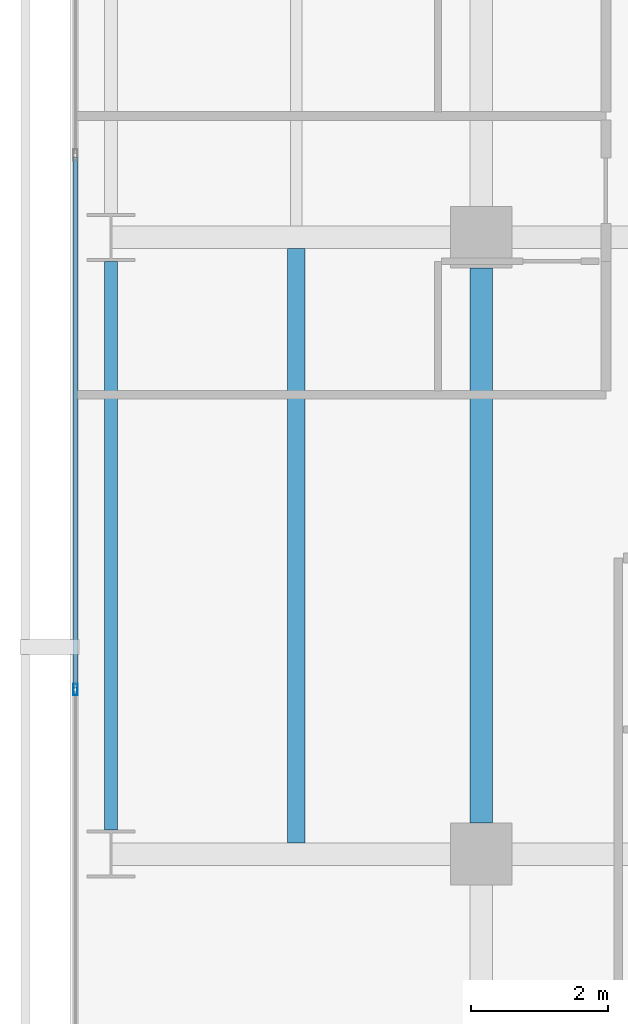
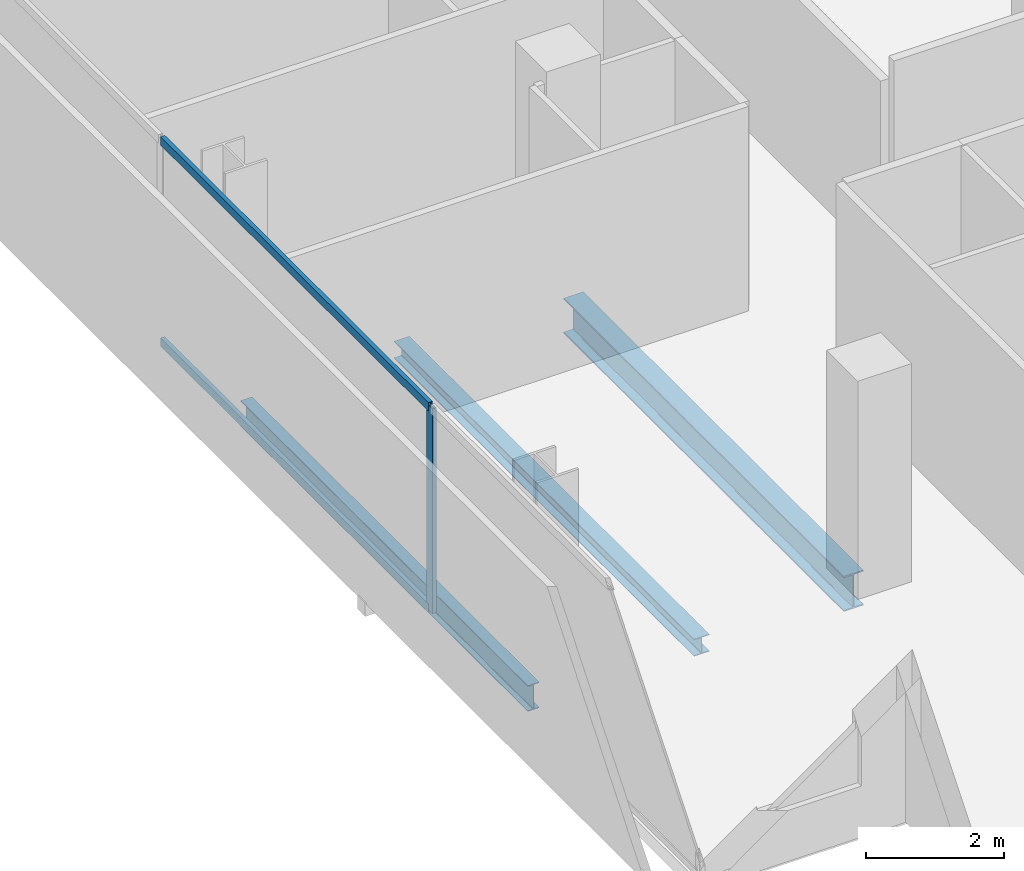
# One storey, part 5 of 40: 3 beams, 3 members, 1 element without a shape of its own.
"""IFC4 building model written with IfcOpenShell, lengths in metres."""

import ifcopenshell
import ifcopenshell.guid

model = None  # the IFC model being written
_history = None  # IfcOwnerHistory: only IFC2X3 demands one
_inside = {}  # id of a spatial element -> (the spatial element, [elements in it])
_under = {}  # id of a project, library or spatial element -> (it, [spatial elements below it])
_declared = {}  # id of a project -> (the project, [libraries it declares])
_typed = {}  # id of a type object -> (the type object, [elements of that type])
_made_of = {}  # id of a material, layer set ... -> (it, [elements and type objects made of it])


def new_model(schema):
    """Start an empty IFC model of exactly this schema.

    Asked for "IFC4X3", IfcOpenShell would pick the latest addendum, in which some entities
    have other attributes; the version numbers below select the first issue.
    IFC2X3 requires an IfcOwnerHistory on every rooted entity: one is made here for all.
    """
    global model, _history
    if schema == "IFC4X3":
        model = ifcopenshell.file(schema_version=(4, 3, 0, 0))
    else:
        model = ifcopenshell.file(schema=schema)
    _inside.clear()
    _under.clear()
    _declared.clear()
    _typed.clear()
    _made_of.clear()
    _history = None
    if model.schema == "IFC2X3":
        org = make("IfcOrganization", Name="unknown")
        user = make(
            "IfcPersonAndOrganization",
            ThePerson=make("IfcPerson", FamilyName="unknown"),
            TheOrganization=org,
        )
        app = make(
            "IfcApplication",
            ApplicationDeveloper=org,
            Version="unknown",
            ApplicationFullName="unknown",
            ApplicationIdentifier="unknown",
        )
        _history = make(
            "IfcOwnerHistory",
            OwningUser=user,
            OwningApplication=app,
            ChangeAction="ADDED",
            CreationDate=0,
        )
    return model


def make(cls, **values):
    """One entity of the class cls with the attributes given. An attribute that is None is left unset."""
    return model.create_entity(
        cls, **{name: value for name, value in values.items() if value is not None}
    )


def rooted(cls, **values):
    """An entity with a GlobalId (a new one), such as an element, a storey or a relation."""
    return make(cls, GlobalId=ifcopenshell.guid.new(), OwnerHistory=_history, **values)


def si_unit(unit_type, name, prefix=None):
    """IfcSIUnit, for example si_unit("LENGTHUNIT", "METRE", prefix="MILLI")."""
    return make("IfcSIUnit", UnitType=unit_type, Prefix=prefix, Name=name)


def assignment(units):
    """IfcUnitAssignment: the units of a project."""
    return None if units is None else make("IfcUnitAssignment", Units=units)


def point(xyz):
    """IfcCartesianPoint."""
    return None if xyz is None else make("IfcCartesianPoint", Coordinates=xyz)


def direction(xyz):
    """IfcDirection."""
    return None if xyz is None else make("IfcDirection", DirectionRatios=xyz)


def frame(location, z_axis=None, x_axis=None):
    """IfcAxis2Placement3D, a coordinate frame: its origin and axes. An axis left out is left unset."""
    return make(
        "IfcAxis2Placement3D",
        Location=point(location),
        Axis=direction(z_axis),
        RefDirection=direction(x_axis),
    )


def frame_2d(location, x_axis=None):
    """IfcAxis2Placement2D, a coordinate frame in the plane: its origin and x axis."""
    return make(
        "IfcAxis2Placement2D", Location=point(location), RefDirection=direction(x_axis)
    )


def origin():
    """The frame at (0, 0, 0) with its axes left unset."""
    return frame((0.0, 0.0, 0.0))


def origin_2d():
    """The frame at (0, 0) in the plane with its x axis left unset."""
    return frame_2d((0.0, 0.0))


def place(relative_to, where):
    """IfcLocalPlacement: puts the frame where relative to a parent placement (None: the world)."""
    return make(
        "IfcLocalPlacement", PlacementRelTo=relative_to, RelativePlacement=where
    )


def context(
    kind, dimensions, precision=None, world=None, true_north=None, identifier=None
):
    """IfcGeometricRepresentationContext, for example the 3D "Model" context."""
    return make(
        "IfcGeometricRepresentationContext",
        ContextIdentifier=identifier,
        ContextType=kind,
        CoordinateSpaceDimension=dimensions,
        Precision=precision,
        WorldCoordinateSystem=world,
        TrueNorth=true_north,
    )


def subcontext(parent, identifier, kind, view, scale=None):
    """IfcGeometricRepresentationSubContext, for example "Body" below "Model"."""
    return make(
        "IfcGeometricRepresentationSubContext",
        ContextIdentifier=identifier,
        ContextType=kind,
        ParentContext=parent,
        TargetScale=scale,
        TargetView=view,
    )


def project(units=None, contexts=None):
    """IfcProject with its units and contexts."""
    return rooted(
        "IfcProject",
        Name="project",
        RepresentationContexts=contexts,
        UnitsInContext=assignment(units),
    )


def spatial(cls, under=None, at=None, **own):
    """A site, building, storey or space (cls), placed at a placement, below another one or the project."""
    s = rooted(cls, ObjectPlacement=at, **own)
    if under is not None:
        _under.setdefault(under.id(), (under, []))[1].append(s)
    return s


def profile(cls, at=None, kind="AREA", **sizes):
    """A parametric profile (cls). Its sizes go by their IFC names, for example OverallWidth=200.0."""
    return make(cls, ProfileType=kind, Position=at, **sizes)


def hollow_rectangle(**sizes):
    """IfcRectangleHollowProfileDef."""
    return profile("IfcRectangleHollowProfileDef", **sizes)


def i_section(**sizes):
    """IfcIShapeProfileDef."""
    return profile("IfcIShapeProfileDef", **sizes)


def extrude(swept, where, along, depth):
    """IfcExtrudedAreaSolid: the profile swept, set in the frame where, extruded along a direction by depth."""
    return make(
        "IfcExtrudedAreaSolid",
        SweptArea=swept,
        Position=where,
        ExtrudedDirection=direction(along),
        Depth=depth,
    )


def shape(context_of_items, identifier, shape_type, items):
    """IfcShapeRepresentation: the items that make up one representation, for example the "Body"."""
    return make(
        "IfcShapeRepresentation",
        ContextOfItems=context_of_items,
        RepresentationIdentifier=identifier,
        RepresentationType=shape_type,
        Items=items,
    )


def material(Name=None, Category=None):
    """IfcMaterial."""
    return make("IfcMaterial", Name=Name, Category=Category)


def layer(
    of_material, thickness, ventilated=None, Name=None, Category=None, Priority=None
):
    """IfcMaterialLayer: one layer of a wall or slab, of a material (None: an air gap)."""
    return make(
        "IfcMaterialLayer",
        Material=of_material,
        LayerThickness=thickness,
        IsVentilated=ventilated,
        Name=Name,
        Category=Category,
        Priority=Priority,
    )


def layer_set(layers, Name=None):
    """IfcMaterialLayerSet."""
    return make("IfcMaterialLayerSet", MaterialLayers=layers, LayerSetName=Name)


def material_profile(
    of_material, cross_section, Name=None, Category=None, Priority=None
):
    """IfcMaterialProfile: a cross section and its material."""
    return make(
        "IfcMaterialProfile",
        Name=Name,
        Material=of_material,
        Profile=cross_section,
        Priority=Priority,
        Category=Category,
    )


def profile_set(profiles, Name=None, composite=None):
    """IfcMaterialProfileSet."""
    return make(
        "IfcMaterialProfileSet",
        Name=Name,
        MaterialProfiles=profiles,
        CompositeProfile=composite,
    )


def made_of(thing, what):
    """Note that an element or type object is made of a material, layer set ...; save() writes the relation."""
    if what is not None:
        _made_of.setdefault(what.id(), (what, []))[1].append(thing)
    return thing


def type_object(cls, material=None, **own):
    """A type object (cls), such as IfcWallType, which elements share."""
    return made_of(rooted(cls, **own), material)


def element(
    cls,
    number,
    at=None,
    inside=None,
    cuts=None,
    type_object=None,
    material=None,
    context=None,
    identifier="Body",
    shape_type=None,
    held_by="IfcProductDefinitionShape",
    body=None,
    shapes=None,
    **own,
):
    """One element of the class cls, such as IfcWall. Its Tag is "e" and its number.

    at: its placement. inside: the storey or other place that contains it. cuts: it is an
    opening in that element (IfcRelVoidsElement). A single representation is given by context,
    identifier, shape_type and body (its items); several are given by shapes. held_by: the class
    of the entity that holds the representations. save() writes the other relations.
    """
    e = rooted(cls, Tag="e%d" % number, ObjectPlacement=at, **own)
    if body is not None:
        shapes = [shape(context, identifier, shape_type, body)]
    if shapes is not None:
        e.Representation = make(held_by, Representations=shapes)
    if inside is not None:
        _inside.setdefault(inside.id(), (inside, []))[1].append(e)
    if cuts is not None:
        rooted(
            "IfcRelVoidsElement", RelatingBuildingElement=cuts, RelatedOpeningElement=e
        )
    if type_object is not None:
        _typed.setdefault(type_object.id(), (type_object, []))[1].append(e)
    return made_of(e, material)


def aggregate(whole, parts):
    """IfcRelAggregates: a whole, such as a stair, and the parts it consists of."""
    return rooted("IfcRelAggregates", RelatingObject=whole, RelatedObjects=parts)


def save(model, path):
    """Write the relations noted so far, then the file.

    IfcRelAggregates (storeys below a building ...), IfcRelContainedInSpatialStructure (elements
    in a storey), IfcRelDefinesByType, IfcRelAssociatesMaterial and IfcRelDeclares: one each for
    every whole, place, type object, material and project.
    """
    for whole, parts in _under.values():
        aggregate(whole, parts)
    for where, things in _inside.values():
        rooted(
            "IfcRelContainedInSpatialStructure",
            RelatedElements=things,
            RelatingStructure=where,
        )
    for kind, things in _typed.values():
        rooted("IfcRelDefinesByType", RelatedObjects=things, RelatingType=kind)
    for what, things in _made_of.values():
        rooted("IfcRelAssociatesMaterial", RelatedObjects=things, RelatingMaterial=what)
    for by, libraries in _declared.values():
        rooted("IfcRelDeclares", RelatingContext=by, RelatedDefinitions=libraries)
    model.write(path)


model = new_model("IFC4")

# Units and contexts
model_context = context("Model", 3, precision=1e-05, world=origin(), true_north=direction((0.0, 1.0)))
body_context = subcontext(model_context, "Body", "Model", "MODEL_VIEW")
ifc_project = project(units=[si_unit("LENGTHUNIT", "METRE"), si_unit("AREAUNIT", "SQUARE_METRE"), si_unit("VOLUMEUNIT", "CUBIC_METRE"), si_unit("PLANEANGLEUNIT", "RADIAN"), si_unit("MASSUNIT", "GRAM", prefix="KILO")], contexts=[model_context])

# Site, building, storey
site_placement = place(None, origin())
site = spatial("IfcSite", under=ifc_project, at=site_placement, CompositionType="ELEMENT")
building_placement = place(site_placement, origin())
building = spatial("IfcBuilding", under=site, at=building_placement, Name="Maruvema Waterfront Hotel and Observation Tower", CompositionType="ELEMENT")
storey_placement = place(building_placement, frame((0.0, 0.0, 53.89990234375)))
storey = spatial("IfcBuildingStorey", under=building, at=storey_placement, Name="L12", CompositionType="ELEMENT", Elevation=53.89990234375)

# Curtain wall, members
ifc_material_1 = material(Name="Anodised bronze aluminium and solar-control low-E IGU", Category="aluminium")
ifc_layer = layer(ifc_material_1, 0.159912109375, Name="Zone 1 Bronze Inner Thermal Curtain Wall System CW-02")
ifc_layer_set = layer_set([ifc_layer], Name="Anodised bronze aluminium and solar-control low-E IGU")
curtain_wall_type = type_object("IfcCurtainWallType", Name="Zone 1 Bronze Inner Thermal Curtain Wall System CW-02", PredefinedType="USERDEFINED", material=ifc_layer_set)
curtain_wall_placement = place(storey_placement, origin())
curtain_wall = element("IfcCurtainWall", 1, at=curtain_wall_placement, inside=storey, type_object=curtain_wall_type, Name="L12 Curtain Wall CW-L12-W", ObjectType="UNITISED CURTAIN WALL", PredefinedType="USERDEFINED")
ifc_material_2 = material(Name="Anodised architectural bronze aluminium", Category="aluminium")
ifc_material_profile_1 = material_profile(ifc_material_2, hollow_rectangle(XDim=0.070068359375, YDim=0.14990234375, WallThickness=0.00390625, at=origin_2d()), Name="ALU-T70x150")
ifc_profile_set_1 = profile_set([ifc_material_profile_1], Name="Anodised architectural bronze aluminium")
member_type_1 = type_object("IfcMemberType", Name="Curtain Wall Horizontal Transom ALU-T70x150", PredefinedType="USERDEFINED", material=ifc_profile_set_1)
member_1_placement = place(storey_placement, frame((10.8798828125, 19.169921875, 0.030029296875), z_axis=(0.0, -1.0, 0.0), x_axis=(1.0, 0.0, 0.0)))
member_1 = element("IfcMember", 2, at=member_1_placement, type_object=member_type_1, Name="CW-02 transom 5.1", ObjectType="TRANSOM", PredefinedType="USERDEFINED", context=body_context, shape_type="SweptSolid", body=[
    extrude(hollow_rectangle(XDim=0.070068359375, YDim=0.14990234375, WallThickness=0.00390625, at=origin_2d()), origin(), (0.0, 0.0, 1.0), 7.739990234375),
])
member_2_placement = place(storey_placement, frame((10.8798828125, 19.169921875, 3.580078125), z_axis=(0.0, -1.0, 0.0), x_axis=(1.0, 0.0, 0.0)))
member_2 = element("IfcMember", 3, at=member_2_placement, type_object=member_type_1, Name="CW-02 transom 5.2", ObjectType="TRANSOM", PredefinedType="USERDEFINED", context=body_context, shape_type="SweptSolid", body=[
    extrude(hollow_rectangle(XDim=0.070068359375, YDim=0.14990234375, WallThickness=0.00390625, at=origin_2d()), origin(), (0.0, 0.0, 1.0), 7.739990234375),
])
ifc_material_3 = material(Name="Anodised architectural bronze aluminium", Category="aluminium")
ifc_material_profile_2 = material_profile(ifc_material_3, hollow_rectangle(XDim=0.06494140625, YDim=0.1650390625, WallThickness=0.00390625, at=origin_2d()), Name="ALU-M65x165")
ifc_profile_set_2 = profile_set([ifc_material_profile_2], Name="Anodised architectural bronze aluminium")
member_type_2 = type_object("IfcMemberType", Name="Curtain Wall Primary Mullion ALU-M65x165", PredefinedType="MULLION", material=ifc_profile_set_2)
member_3_placement = place(storey_placement, frame((10.8798828125, 11.39990234375, 0.0), z_axis=(0.0, 0.0, 1.0), x_axis=(1.0, 0.0, 0.0)))
member_3 = element("IfcMember", 4, at=member_3_placement, type_object=member_type_2, Name="CW-02 mullion 6", PredefinedType="MULLION", context=body_context, shape_type="SweptSolid", body=[
    extrude(hollow_rectangle(XDim=0.06494140625, YDim=0.1650390625, WallThickness=0.00390625, at=origin_2d()), origin(), (0.0, 0.0, 1.0), 3.610107421875),
])
aggregate(curtain_wall, [member_3, member_1, member_2])

# Beams
ifc_material_4 = material(Name="Steel ASTM A572 Grade 50", Category="steel")
ifc_material_profile_3 = material_profile(ifc_material_4, i_section(OverallWidth=0.18994140625, OverallDepth=0.45703125, WebThickness=0.009033203125, FlangeThickness=0.014404296875, FilletRadius=0.014892578125, at=origin_2d()), Name="W460x74.0")
ifc_profile_set_3 = profile_set([ifc_material_profile_3], Name="Steel ASTM A572 Grade 50")
beam_type_1 = type_object("IfcBeamType", Name="Perimeter Spandrel Beam W460x74.0", PredefinedType="SPANDREL", material=ifc_profile_set_3)
beam_1_placement = place(storey_placement, frame((11.39990234375, 9.35009765625, -0.468505859375), z_axis=(0.0, 1.0, 0.0), x_axis=(-1.0, 0.0, 0.0)))
element("IfcBeam", 5, at=beam_1_placement, inside=storey, type_object=beam_type_1, Name="L12 Floor Girder NS-01", PredefinedType="SPANDREL", context=body_context, shape_type="SweptSolid", body=[
    extrude(i_section(OverallWidth=0.18994140625, OverallDepth=0.45703125, WebThickness=0.009033203125, FlangeThickness=0.014404296875, FilletRadius=0.014892578125, at=origin_2d()), origin(), (0.0, 0.0, 1.0), 8.2998046875),
])
ifc_material_5 = material(Name="Steel ASTM A572 Grade 50", Category="steel")
ifc_material_profile_4 = material_profile(ifc_material_5, i_section(OverallWidth=0.326904296875, OverallDepth=0.6220703125, WebThickness=0.015380859375, FlangeThickness=0.0244140625, FilletRadius=0.01806640625, at=origin_2d()), Name="W610x195.0")
ifc_profile_set_4 = profile_set([ifc_material_profile_4], Name="Steel ASTM A572 Grade 50")
beam_type_2 = type_object("IfcBeamType", Name="Primary Floor Girder W610x195.0", PredefinedType="BEAM", material=ifc_profile_set_4)
beam_2_placement = place(storey_placement, frame((16.800048828125, 9.449951171875, -0.55078125), z_axis=(0.0, 1.0, 0.0), x_axis=(-1.0, 0.0, 0.0)))
element("IfcBeam", 6, at=beam_2_placement, inside=storey, type_object=beam_type_2, Name="L12 Floor Girder NS-06", PredefinedType="BEAM", context=body_context, shape_type="SweptSolid", body=[
    extrude(i_section(OverallWidth=0.326904296875, OverallDepth=0.6220703125, WebThickness=0.015380859375, FlangeThickness=0.0244140625, FilletRadius=0.01806640625, at=origin_2d()), origin(), (0.0, 0.0, 1.0), 8.10009765625),
])
ifc_material_6 = material(Name="Steel ASTM A572 Grade 50", Category="steel")
ifc_material_profile_5 = material_profile(ifc_material_6, i_section(OverallWidth=0.25390625, OverallDepth=0.305908203125, WebThickness=0.0087890625, FlangeThickness=0.0146484375, FilletRadius=0.014892578125, at=origin_2d()), Name="W310x79.0")
ifc_profile_set_5 = profile_set([ifc_material_profile_5], Name="Steel ASTM A572 Grade 50")
beam_type_3 = type_object("IfcBeamType", Name="Secondary Floor Joist W310x79.0", PredefinedType="JOIST", material=ifc_profile_set_5)
beam_3_placement = place(storey_placement, frame((14.10009765625, 9.16357421875, -0.392822265625), z_axis=(0.0, 1.0, 0.0), x_axis=(-1.0, 0.0, 0.0)))
element("IfcBeam", 7, at=beam_3_placement, inside=storey, type_object=beam_type_3, Name="L12 Secondary Floor Joist JS-01", PredefinedType="JOIST", context=body_context, shape_type="SweptSolid", body=[
    extrude(i_section(OverallWidth=0.25390625, OverallDepth=0.305908203125, WebThickness=0.0087890625, FlangeThickness=0.0146484375, FilletRadius=0.014892578125, at=origin_2d()), origin(), (0.0, 0.0, 1.0), 8.6728515625),
])

save(model, "model.ifc")
